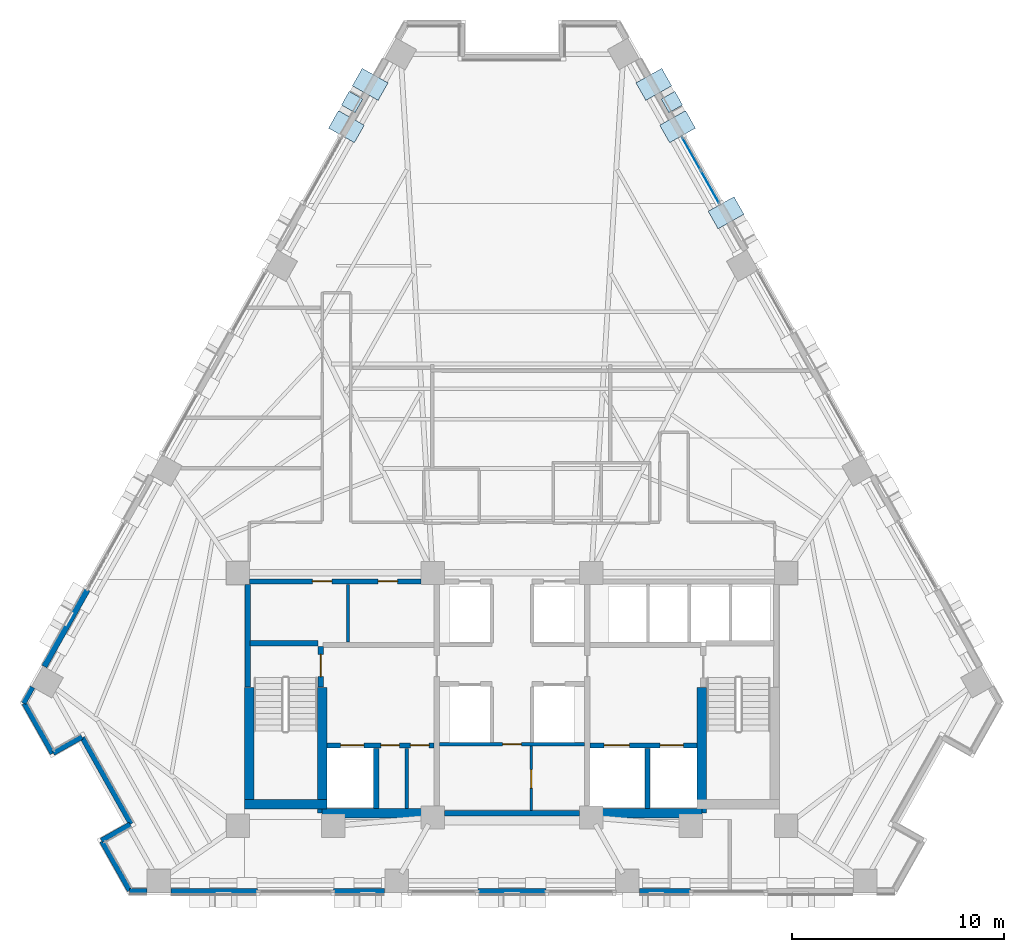
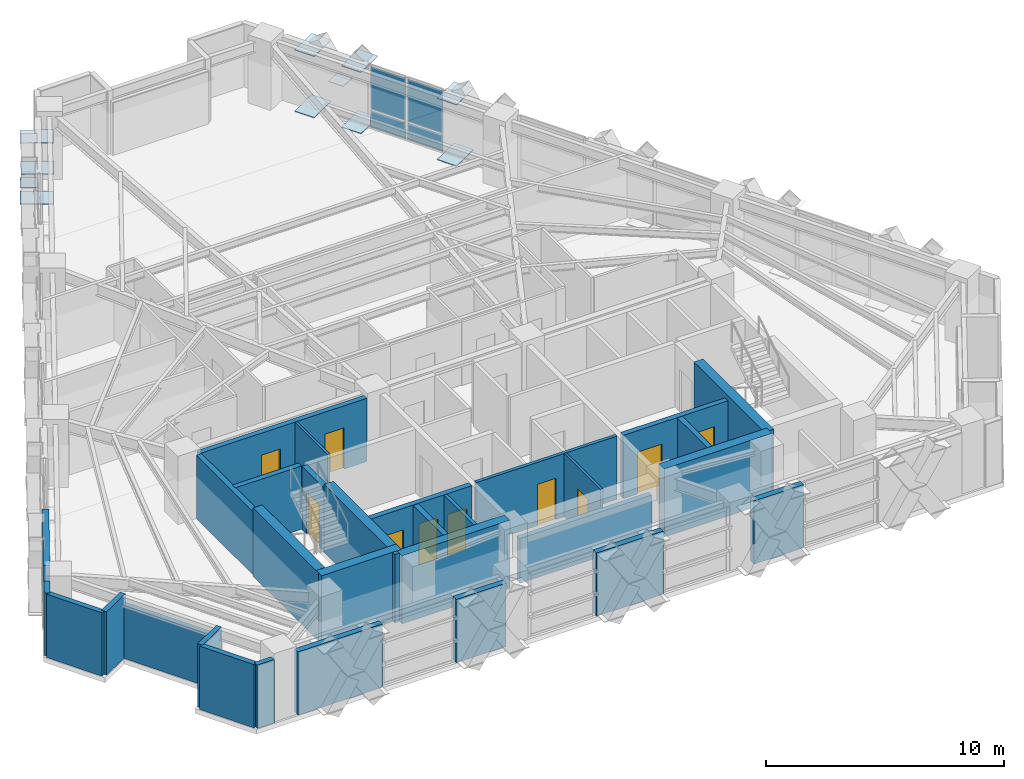
# One storey, part 7 of 14: 31 walls, 15 plates, 10 doors, 10 openings, 1 element without a shape of its own.
"""IFC4 building model written with IfcOpenShell, lengths in metres."""

from ifc_helpers import new_model, si_unit, direction, frame, frame_2d, origin, origin_2d, place, context, subcontext, project, spatial, rectangle, extrude, material, layer, layer_set, type_object, element, fill, aggregate, save


model = new_model("IFC4")

# Units and contexts
model_context = context("Model", 3, precision=1e-05, world=origin(), true_north=direction((0.0, 1.0)))
body_context = subcontext(model_context, "Body", "Model", "MODEL_VIEW")
ifc_project = project(units=[si_unit("LENGTHUNIT", "METRE"), si_unit("AREAUNIT", "SQUARE_METRE"), si_unit("VOLUMEUNIT", "CUBIC_METRE"), si_unit("PLANEANGLEUNIT", "RADIAN"), si_unit("MASSUNIT", "GRAM", prefix="KILO")], contexts=[model_context])

# Site, building, storey
site_placement = place(None, origin())
site = spatial("IfcSite", under=ifc_project, at=site_placement, CompositionType="ELEMENT")
building_placement = place(site_placement, origin())
building = spatial("IfcBuilding", under=site, at=building_placement, Name="Quenlor Broadcast Tower", CompositionType="ELEMENT")
storey_placement = place(building_placement, frame((0.0, 0.0, 123.0)))
storey = spatial("IfcBuildingStorey", under=building, at=storey_placement, Name="L33", CompositionType="ELEMENT", Elevation=123.0)

# Curtain wall, plates
ifc_material_1 = material(Name="Architectural Terracotta and Low-E Glazing", Category="masonry")
curtain_wall_type = type_object("IfcCurtainWallType", Name="Unitised Terracotta Curtain Wall System Z2", PredefinedType="NOTDEFINED", material=ifc_material_1)
curtain_wall_placement = place(storey_placement, origin())
curtain_wall = element("IfcCurtainWall", 1, at=curtain_wall_placement, inside=storey, type_object=curtain_wall_type, Name="L33 Curtain Wall CW2 (L33-NEA-G1)", PredefinedType="NOTDEFINED")
ifc_material_2 = material(Name="Double Glazed Low-E Solar Glass", Category="glass")
ifc_layer_1 = layer(ifc_material_2, 0.030029296875)
ifc_layer_set_1 = layer_set([ifc_layer_1], Name="CW2 Double Glazed Vision Panel 30")
plate_type_1 = type_object("IfcPlateType", Name="CW2 Double Glazed Vision Panel 30", PredefinedType="CURTAIN_PANEL", material=ifc_layer_set_1)
plate_1_placement = place(storey_placement, frame((8.473388671875, 15.009765625, 0.074951171875), z_axis=(0.0, 0.0, 1.0), x_axis=(0.490265104904, -0.871573362898, 0.0)))
plate_1 = element("IfcPlate", 2, at=plate_1_placement, type_object=plate_type_1, Name="CW2 panel 1.1", PredefinedType="CURTAIN_PANEL", context=body_context, shape_type="SweptSolid", body=[
    extrude(rectangle(XDim=1.72998046875, YDim=0.030029296875, at=origin_2d()), origin(), (0.0, 0.0, 1.0), 0.83740234375),
])
plate_2_placement = place(storey_placement, frame((8.473388671875, 15.009765625, 0.987548828125), z_axis=(0.0, 0.0, 1.0), x_axis=(0.490265104904, -0.871573362898, 0.0)))
plate_2 = element("IfcPlate", 3, at=plate_2_placement, type_object=plate_type_1, Name="CW2 panel 1.2", PredefinedType="CURTAIN_PANEL", context=body_context, shape_type="SweptSolid", body=[
    extrude(rectangle(XDim=1.72998046875, YDim=0.030029296875, at=origin_2d()), origin(), (0.0, 0.0, 1.0), 2.1875),
])
plate_3_placement = place(storey_placement, frame((9.3583984375, 13.4365234375, 0.074951171875), z_axis=(0.0, 0.0, 1.0), x_axis=(0.490265104904, -0.871573362898, 0.0)))
plate_3 = element("IfcPlate", 4, at=plate_3_placement, type_object=plate_type_1, Name="CW2 panel 2.1", PredefinedType="CURTAIN_PANEL", context=body_context, shape_type="SweptSolid", body=[
    extrude(rectangle(XDim=1.72998046875, YDim=0.030029296875, at=origin_2d()), origin(), (0.0, 0.0, 1.0), 0.83740234375),
])
plate_4_placement = place(storey_placement, frame((9.3583984375, 13.4365234375, 0.987548828125), z_axis=(0.0, 0.0, 1.0), x_axis=(0.490265104904, -0.871573362898, 0.0)))
plate_4 = element("IfcPlate", 5, at=plate_4_placement, type_object=plate_type_1, Name="CW2 panel 2.2", PredefinedType="CURTAIN_PANEL", context=body_context, shape_type="SweptSolid", body=[
    extrude(rectangle(XDim=1.72998046875, YDim=0.030029296875, at=origin_2d()), origin(), (0.0, 0.0, 1.0), 2.1875),
])
aggregate(curtain_wall, [plate_1, plate_2, plate_3, plate_4])

# Plates
ifc_material_3 = material(Name="Steel S355", Category="steel")
ifc_layer_2 = layer(ifc_material_3, 0.028076171875)
ifc_layer_set_2 = layer_set([ifc_layer_2], Name="Perimeter Lattice Node Steel S355 Cap Plate 740x740x28")
plate_type_2 = type_object("IfcPlateType", Name="Perimeter Lattice Node Steel S355 Cap Plate 740x740x28", PredefinedType="USERDEFINED", material=ifc_layer_set_2)
for number, where, z_axis, x_axis, name in (
    (6, (7.5537109375, 17.45068359375, 1.61572265625), (0.0, 0.0, 1.0), (0.490295412055, -0.871556314255, 0.0), "L33 Diamond Lattice Crossing Node NE-C1"),
    (7, (-7.5537109375, 17.45068359375, 1.61572265625), (0.0, 0.0, 1.0), (0.490295412055, 0.871556314255, 0.0), "L33 Diamond Lattice Crossing Node NW-C5"),
):
    element("IfcPlate", number, at=place(storey_placement, frame(where, z_axis=z_axis, x_axis=x_axis)), inside=storey, type_object=plate_type_2, Name=name, ObjectType="CAP PLATE", PredefinedType="USERDEFINED", context=body_context, shape_type="SweptSolid", body=[
        extrude(rectangle(XDim=0.739990234375, YDim=0.739990234375, at=origin_2d()), origin(), (0.0, 0.0, 1.0), 0.028076171875),
    ])
ifc_material_4 = material(Name="Steel S355", Category="steel")
ifc_layer_3 = layer(ifc_material_4, 0.035888671875)
ifc_layer_set_3 = layer_set([ifc_layer_3], Name="Transfer Truss Steel S355 Gusset Node Plate 1400x950x36")
plate_type_3 = type_object("IfcPlateType", Name="Transfer Truss Steel S355 Gusset Node Plate 1400x950x36", PredefinedType="SHEET", material=ifc_layer_set_3)
for number, where, z_axis, x_axis, name in (
    (8, (6.69970703125, 18.28564453125, 0.0419921875), (0.0, 0.0, 1.0), (0.871556314255, 0.490295412055, 0.0), "L33 Lattice Tie Gusset Node NE-B1"),
    (9, (7.823486328125, 16.287353515625, 3.18212890625), (0.0, 0.0, 1.0), (0.871556314255, 0.490295412055, 0.0), "L33 Lattice Tie Gusset Node NE-T2"),
    (10, (7.823486328125, 16.287353515625, 0.0419921875), (0.0, 0.0, 1.0), (0.871556314255, 0.490295412055, 0.0), "L33 Lattice Tie Gusset Node NE-B2"),
    (11, (6.69970703125, 18.28564453125, 3.18212890625), (0.0, 0.0, 1.0), (0.871556314255, 0.490295412055, 0.0), "L33 Lattice Tie Gusset Node NE-T1"),
    (12, (10.11279296875, 12.218017578125, 0.0419921875), (0.0, 0.0, 1.0), (0.871556314255, 0.490295412055, 0.0), "L33 Lattice Tie Gusset Node NE-B4"),
    (13, (10.11279296875, 12.218017578125, 3.18212890625), (0.0, 0.0, 1.0), (0.871556314255, 0.490295412055, 0.0), "L33 Lattice Tie Gusset Node NE-T4"),
    (14, (-6.69970703125, 18.28564453125, 3.18212890625), (0.0, 0.0, 1.0), (-0.871556314255, 0.490295412055, 0.0), "L33 Lattice Tie Gusset Node NW-T14"),
    (15, (-6.69970703125, 18.28564453125, 0.0419921875), (0.0, 0.0, 1.0), (-0.871556314255, 0.490295412055, 0.0), "L33 Lattice Tie Gusset Node NW-B14"),
    (16, (-7.823486328125, 16.287353515625, 3.18212890625), (0.0, 0.0, 1.0), (-0.871556314255, 0.490295412055, 0.0), "L33 Lattice Tie Gusset Node NW-T13"),
):
    element("IfcPlate", number, at=place(storey_placement, frame(where, z_axis=z_axis, x_axis=x_axis)), inside=storey, type_object=plate_type_3, Name=name, PredefinedType="SHEET", context=body_context, shape_type="SweptSolid", body=[
        extrude(rectangle(XDim=1.39990234375, YDim=0.949951171875, at=origin_2d()), origin(), (0.0, 0.0, 1.0), 0.035888671875),
    ])

# Walls
ifc_material_5 = material(Name="Concrete C50/60", Category="concrete")
ifc_layer_4 = layer(ifc_material_5, 0.449951171875)
ifc_layer_set_4 = layer_set([ifc_layer_4], Name="Core Concrete C50/60 Shear Wall 450")
wall_type_1 = type_object("IfcWallType", Name="Core Concrete C50/60 Shear Wall 450", PredefinedType="SHEAR", material=ifc_layer_set_4)
wall_1_placement = place(storey_placement, frame((-12.64990234375, -15.72509765625, 0.0), z_axis=(0.0, 0.0, 1.0), x_axis=(1.0, 0.0, 0.0)))
element("IfcWall", 17, at=wall_1_placement, inside=storey, type_object=wall_type_1, Name="L33 Core Shear Wall WS-W1", PredefinedType="SHEAR", context=body_context, shape_type="SweptSolid", body=[
    extrude(rectangle(XDim=3.89990234375, YDim=0.449951171875, at=frame_2d((1.949951171875, 0.0))), origin(), (0.0, 0.0, 1.0), 3.5),
])
for number, where, z_axis, x_axis, name in (
    (18, (-8.97509765625, -16.14990234375, 0.0), (0.0, 0.0, 1.0), (1.0, 0.0, 0.0), "L33 Core Shear Wall WS-W2"),
    (19, (3.75, -16.14990234375, 0.0), (0.0, 0.0, 1.0), (1.0, 0.0, 0.0), "L33 Core Shear Wall WS-E1"),
):
    element("IfcWall", number, at=place(storey_placement, frame(where, z_axis=z_axis, x_axis=x_axis)), inside=storey, type_object=wall_type_1, Name=name, PredefinedType="SHEAR", context=body_context, shape_type="SweptSolid", body=[
        extrude(rectangle(XDim=5.22509765625, YDim=0.449951171875, at=frame_2d((2.612548828125, 0.0))), origin(), (0.0, 0.0, 1.0), 3.5),
    ])
wall_2_placement = place(storey_placement, frame((-12.425048828125, -15.72509765625, 0.0), z_axis=(0.0, 0.0, 1.0), x_axis=(0.0, 1.0, 0.0)))
element("IfcWall", 20, at=wall_2_placement, inside=storey, type_object=wall_type_1, Name="L33 Core Shear Wall WF-W", PredefinedType="SHEAR", context=body_context, shape_type="SweptSolid", body=[
    extrude(rectangle(XDim=5.525146484375, YDim=0.449951171875, at=frame_2d((2.7626953125, 0.0))), origin(), (0.0, 0.0, 1.0), 3.5),
])
for number, where, z_axis, x_axis, name in (
    (21, (-8.97509765625, -16.14990234375, 0.0), (0.0, 0.0, 1.0), (0.0, 1.0, 0.0), "L33 Core Shear Wall WI-W"),
    (22, (8.97509765625, -16.14990234375, 0.0), (0.0, 0.0, 1.0), (0.0, 1.0, 0.0), "L33 Core Shear Wall WI-E"),
):
    element("IfcWall", number, at=place(storey_placement, frame(where, z_axis=z_axis, x_axis=x_axis)), inside=storey, type_object=wall_type_1, Name=name, PredefinedType="SHEAR", context=body_context, shape_type="SweptSolid", body=[
        extrude(rectangle(XDim=5.949951171875, YDim=0.449951171875, at=frame_2d((2.97509765625, 0.0))), origin(), (0.0, 0.0, 1.0), 3.5),
    ])

# Wall, opening, door
ifc_material_6 = material(Name="Concrete C40/50", Category="concrete")
ifc_layer_5 = layer(ifc_material_6, 0.25)
ifc_layer_set_5 = layer_set([ifc_layer_5], Name="Fire Rated Concrete C40/50 Core Wall 250")
wall_type_2 = type_object("IfcWallType", Name="Fire Rated Concrete C40/50 Core Wall 250", PredefinedType="PARTITIONING", material=ifc_layer_set_5)
wall_3_placement = place(storey_placement, frame((-9.0400390625, -10.179931640625, 0.0), z_axis=(0.0, 0.0, 1.0), x_axis=(0.0, 1.0, 0.0)))
wall_3 = element("IfcWall", 23, at=wall_3_placement, inside=storey, type_object=wall_type_2, Name="L33 Interior Wall CW-ST1-DR", PredefinedType="PARTITIONING", context=body_context, shape_type="SweptSolid", body=[
    extrude(rectangle(XDim=1.89990234375, YDim=0.25, at=frame_2d((0.949951171875, 0.0))), origin(), (0.0, 0.0, 1.0), 3.25),
])
opening_1_placement = place(wall_3_placement, frame((0.47998046875, 0.0, 0.0)))
opening_1 = element("IfcOpeningElement", 24, at=opening_1_placement, cuts=wall_3, Name="Opening FD-1", PredefinedType="OPENING", context=body_context, shape_type="SweptSolid", body=[
    extrude(rectangle(XDim=1.050048828125, YDim=2.14990234375, at=frame_2d((0.52490234375, 1.074951171875))), frame((0.0, 0.135009765625, 0.0), z_axis=(0.0, -1.0, 0.0), x_axis=(1.0, 0.0, 0.0)), (0.0, 0.0, 1.0), 0.27001953125),
])
ifc_material_7 = material(Name="Fire Rated Steel Door Leaf", Category="steel")
door_type_1 = type_object("IfcDoorType", Name="Fire Isolated Stair Door 1050x2150", OperationType="NOTDEFINED", PredefinedType="DOOR", material=ifc_material_7)
door_1_placement = place(opening_1_placement, origin())
door_1 = element("IfcDoor", 25, at=door_1_placement, inside=storey, type_object=door_type_1, Name="L33 Door DR-ST1", OperationType="SINGLE_SWING_LEFT", OverallHeight=2.14990234375, OverallWidth=1.050048828125, PredefinedType="DOOR", context=body_context, shape_type="SweptSolid", body=[
    extrude(rectangle(XDim=1.050048828125, YDim=2.14990234375, at=frame_2d((0.52490234375, 1.074951171875))), frame((0.0, 0.02490234375, 0.0), z_axis=(0.0, -1.0, 0.0), x_axis=(1.0, 0.0, 0.0)), (0.0, 0.0, 1.0), 0.050048828125),
])
fill(opening_1, door_1)

# Walls
wall_4_placement = place(storey_placement, frame((-12.3798828125, -8.1201171875, 0.0), z_axis=(0.0, 0.0, 1.0), x_axis=(1.0, 0.0, 0.0)))
element("IfcWall", 26, at=wall_4_placement, inside=storey, type_object=wall_type_2, Name="L33 Interior Wall CW-ST1-N", PredefinedType="PARTITIONING", context=body_context, shape_type="SweptSolid", body=[
    extrude(rectangle(XDim=3.219970703125, YDim=0.25, at=frame_2d((1.60986328125, 0.0))), origin(), (0.0, 0.0, 1.0), 3.25),
])
wall_5_placement = place(storey_placement, frame((-12.47998046875, -10.179931640625, 0.0), z_axis=(0.0, 0.0, 1.0), x_axis=(0.0, 1.0, 0.0)))
element("IfcWall", 27, at=wall_5_placement, inside=storey, type_object=wall_type_2, Name="L33 Interior Wall CW-ST1-W2", PredefinedType="PARTITIONING", context=body_context, shape_type="SweptSolid", body=[
    extrude(rectangle(XDim=4.827880859375, YDim=0.25, at=frame_2d((2.4140625, 0.0))), origin(), (0.0, 0.0, 1.0), 3.25),
])

# Wall, openings, doors
wall_6_placement = place(storey_placement, frame((-8.748046875, -12.949951171875, 0.0), z_axis=(0.0, 0.0, 1.0), x_axis=(1.0, 0.0, 0.0)))
wall_6 = element("IfcWall", 28, at=wall_6_placement, inside=storey, type_object=wall_type_2, Name="L33 Interior Wall CW-FFW-S", PredefinedType="PARTITIONING", context=body_context, shape_type="SweptSolid", body=[
    extrude(rectangle(XDim=5.068115234375, YDim=0.25, at=frame_2d((2.5341796875, 0.0))), origin(), (0.0, 0.0, 1.0), 3.25),
])
opening_2_placement = place(wall_6_placement, frame((0.64794921875, 0.0, 0.0)))
opening_2 = element("IfcOpeningElement", 29, at=opening_2_placement, cuts=wall_6, Name="Opening LD-FFL-1", PredefinedType="OPENING", context=body_context, shape_type="SweptSolid", body=[
    extrude(rectangle(XDim=1.10009765625, YDim=2.14990234375, at=frame_2d((0.550048828125, 1.074951171875))), frame((0.0, 0.135009765625, 0.0), z_axis=(0.0, -1.0, 0.0), x_axis=(1.0, 0.0, 0.0)), (0.0, 0.0, 1.0), 0.27001953125),
])
opening_3_placement = place(wall_6_placement, frame((2.548095703125, 0.0, 0.0)))
opening_3 = element("IfcOpeningElement", 30, at=opening_3_placement, cuts=wall_6, Name="Opening TD-1", PredefinedType="OPENING", context=body_context, shape_type="SweptSolid", body=[
    extrude(rectangle(XDim=0.8798828125, YDim=2.10009765625, at=frame_2d((0.43994140625, 1.050048828125))), frame((0.0, 0.135009765625, 0.0), z_axis=(0.0, -1.0, 0.0), x_axis=(1.0, 0.0, 0.0)), (0.0, 0.0, 1.0), 0.27001953125),
])
opening_4_placement = place(wall_6_placement, frame((3.947998046875, 0.0, 0.0)))
opening_4 = element("IfcOpeningElement", 31, at=opening_4_placement, cuts=wall_6, Name="Opening TD-1", PredefinedType="OPENING", context=body_context, shape_type="SweptSolid", body=[
    extrude(rectangle(XDim=0.8798828125, YDim=2.10009765625, at=frame_2d((0.43994140625, 1.050048828125))), frame((0.0, 0.135009765625, 0.0), z_axis=(0.0, -1.0, 0.0), x_axis=(1.0, 0.0, 0.0)), (0.0, 0.0, 1.0), 0.27001953125),
])
ifc_material_8 = material(Name="Brushed Stainless Steel", Category="steel")
door_type_2 = type_object("IfcDoorType", Name="Emergency Lift Sliding Landing Door 1100x2150", OperationType="NOTDEFINED", PredefinedType="DOOR", material=ifc_material_8)
door_2_placement = place(opening_2_placement, origin())
door_2 = element("IfcDoor", 32, at=door_2_placement, inside=storey, type_object=door_type_2, Name="L33 Door LD-FFL-1", OperationType="SLIDING_TO_LEFT", OverallHeight=2.14990234375, OverallWidth=1.10009765625, PredefinedType="DOOR", context=body_context, shape_type="SweptSolid", body=[
    extrude(rectangle(XDim=1.10009765625, YDim=2.14990234375, at=frame_2d((0.550048828125, 1.074951171875))), frame((0.0, 0.02490234375, 0.0), z_axis=(0.0, -1.0, 0.0), x_axis=(1.0, 0.0, 0.0)), (0.0, 0.0, 1.0), 0.050048828125),
])
fill(opening_2, door_2)
ifc_material_9 = material(Name="Fire Rated Steel Access Panel", Category="steel")
door_type_3 = type_object("IfcDoorType", Name="Riser Shaft Rated Access Trapdoor 880x2100", OperationType="NOTDEFINED", PredefinedType="TRAPDOOR", material=ifc_material_9)
door_3_placement = place(opening_3_placement, origin())
door_3 = element("IfcDoor", 33, at=door_3_placement, inside=storey, type_object=door_type_3, Name="L33 Door DR-ELR", OperationType="SINGLE_SWING_LEFT", OverallHeight=2.10009765625, OverallWidth=0.8798828125, PredefinedType="TRAPDOOR", context=body_context, shape_type="SweptSolid", body=[
    extrude(rectangle(XDim=0.8798828125, YDim=2.10009765625, at=frame_2d((0.43994140625, 1.050048828125))), frame((0.0, 0.02490234375, 0.0), z_axis=(0.0, -1.0, 0.0), x_axis=(1.0, 0.0, 0.0)), (0.0, 0.0, 1.0), 0.050048828125),
])
fill(opening_3, door_3)
door_4_placement = place(opening_4_placement, origin())
door_4 = element("IfcDoor", 34, at=door_4_placement, inside=storey, type_object=door_type_3, Name="L33 Door DR-CMR", OperationType="SINGLE_SWING_RIGHT", OverallHeight=2.10009765625, OverallWidth=0.8798828125, PredefinedType="TRAPDOOR", context=body_context, shape_type="SweptSolid", body=[
    extrude(rectangle(XDim=0.8798828125, YDim=2.10009765625, at=frame_2d((0.43994140625, 1.050048828125))), frame((0.0, 0.02490234375, 0.0), z_axis=(0.0, -1.0, 0.0), x_axis=(1.0, 0.0, 0.0)), (0.0, 0.0, 1.0), 0.050048828125),
])
fill(opening_4, door_4)

wall_7_placement = place(storey_placement, frame((3.679931640625, -12.949951171875, 0.0), z_axis=(0.0, 0.0, 1.0), x_axis=(1.0, 0.0, 0.0)))
wall_7 = element("IfcWall", 35, at=wall_7_placement, inside=storey, type_object=wall_type_2, Name="L33 Interior Wall CW-FFE-S", PredefinedType="PARTITIONING", context=body_context, shape_type="SweptSolid", body=[
    extrude(rectangle(XDim=5.068115234375, YDim=0.25, at=frame_2d((2.5341796875, 0.0))), origin(), (0.0, 0.0, 1.0), 3.25),
])
opening_5_placement = place(wall_7_placement, frame((3.320068359375, 0.0, 0.0)))
opening_5 = element("IfcOpeningElement", 36, at=opening_5_placement, cuts=wall_7, Name="Opening LD-FFL-2", PredefinedType="OPENING", context=body_context, shape_type="SweptSolid", body=[
    extrude(rectangle(XDim=1.10009765625, YDim=2.14990234375, at=frame_2d((0.550048828125, 1.074951171875))), frame((0.0, 0.135009765625, 0.0), z_axis=(0.0, -1.0, 0.0), x_axis=(1.0, 0.0, 0.0)), (0.0, 0.0, 1.0), 0.27001953125),
])
opening_6_placement = place(wall_7_placement, frame((0.669921875, 0.0, 0.0)))
opening_6 = element("IfcOpeningElement", 37, at=opening_6_placement, cuts=wall_7, Name="Opening LD-SVL-1", PredefinedType="OPENING", context=body_context, shape_type="SweptSolid", body=[
    extrude(rectangle(XDim=1.199951171875, YDim=2.14990234375, at=frame_2d((0.60009765625, 1.074951171875))), frame((0.0, 0.135009765625, 0.0), z_axis=(0.0, -1.0, 0.0), x_axis=(1.0, 0.0, 0.0)), (0.0, 0.0, 1.0), 0.27001953125),
])
door_5_placement = place(opening_5_placement, origin())
door_5 = element("IfcDoor", 38, at=door_5_placement, inside=storey, type_object=door_type_2, Name="L33 Door LD-FFL-2", OperationType="SLIDING_TO_RIGHT", OverallHeight=2.14990234375, OverallWidth=1.10009765625, PredefinedType="DOOR", context=body_context, shape_type="SweptSolid", body=[
    extrude(rectangle(XDim=1.10009765625, YDim=2.14990234375, at=frame_2d((0.550048828125, 1.074951171875))), frame((0.0, 0.02490234375, 0.0), z_axis=(0.0, -1.0, 0.0), x_axis=(1.0, 0.0, 0.0)), (0.0, 0.0, 1.0), 0.050048828125),
])
fill(opening_5, door_5)
ifc_material_10 = material(Name="Brushed Stainless Steel", Category="steel")
door_type_4 = type_object("IfcDoorType", Name="Goods Lift Sliding Landing Door 1200x2150", OperationType="NOTDEFINED", PredefinedType="DOOR", material=ifc_material_10)
door_6_placement = place(opening_6_placement, origin())
door_6 = element("IfcDoor", 39, at=door_6_placement, inside=storey, type_object=door_type_4, Name="L33 Door LD-SVL-1", OperationType="SLIDING_TO_LEFT", OverallHeight=2.14990234375, OverallWidth=1.199951171875, PredefinedType="DOOR", context=body_context, shape_type="SweptSolid", body=[
    extrude(rectangle(XDim=1.199951171875, YDim=2.14990234375, at=frame_2d((0.60009765625, 1.074951171875))), frame((0.0, 0.02490234375, 0.0), z_axis=(0.0, -1.0, 0.0), x_axis=(1.0, 0.0, 0.0)), (0.0, 0.0, 1.0), 0.050048828125),
])
fill(opening_6, door_6)

# Walls
for number, where, z_axis, x_axis, name in (
    (40, (-6.419921875, -15.919921875, 0.0), (0.0, 0.0, 1.0), (0.0, 1.0, 0.0), "L33 Interior Wall CW-FF1-E"),
    (41, (6.39990234375, -15.919921875, 0.0), (0.0, 0.0, 1.0), (0.0, 1.0, 0.0), "L33 Interior Wall CW-SV1-E"),
):
    element("IfcWall", number, at=place(storey_placement, frame(where, z_axis=z_axis, x_axis=x_axis)), inside=storey, type_object=wall_type_2, Name=name, PredefinedType="PARTITIONING", context=body_context, shape_type="SweptSolid", body=[
        extrude(rectangle(XDim=2.829833984375, YDim=0.25, at=frame_2d((1.4150390625, 0.0))), origin(), (0.0, 0.0, 1.0), 3.25),
    ])

# Wall, openings, doors
wall_8_placement = place(storey_placement, frame((-12.39794921875, -5.199951171875, 0.0), z_axis=(0.0, 0.0, 1.0), x_axis=(1.0, 0.0, 0.0)))
wall_8 = element("IfcWall", 42, at=wall_8_placement, inside=storey, type_object=wall_type_2, Name="L33 Interior Wall CW-N-W", PredefinedType="PARTITIONING", context=body_context, shape_type="SweptSolid", body=[
    extrude(rectangle(XDim=8.095947265625, YDim=0.25, at=frame_2d((4.0478515625, 0.0))), origin(), (0.0, 0.0, 1.0), 3.25),
])
opening_7_placement = place(wall_8_placement, frame((2.968017578125, 0.0, 0.0)))
opening_7 = element("IfcOpeningElement", 43, at=opening_7_placement, cuts=wall_8, Name="Opening ID-1", PredefinedType="OPENING", context=body_context, shape_type="SweptSolid", body=[
    extrude(rectangle(XDim=0.919921875, YDim=2.1201171875, at=frame_2d((0.4599609375, 1.06005859375))), frame((0.0, 0.135009765625, 0.0), z_axis=(0.0, -1.0, 0.0), x_axis=(1.0, 0.0, 0.0)), (0.0, 0.0, 1.0), 0.27001953125),
])
opening_8_placement = place(wall_8_placement, frame((6.068115234375, 0.0, 0.0)))
opening_8 = element("IfcOpeningElement", 44, at=opening_8_placement, cuts=wall_8, Name="Opening ID-1", PredefinedType="OPENING", context=body_context, shape_type="SweptSolid", body=[
    extrude(rectangle(XDim=0.919921875, YDim=2.1201171875, at=frame_2d((0.4599609375, 1.06005859375))), frame((0.0, 0.135009765625, 0.0), z_axis=(0.0, -1.0, 0.0), x_axis=(1.0, 0.0, 0.0)), (0.0, 0.0, 1.0), 0.27001953125),
])
ifc_material_11 = material(Name="Solid Core Timber Oak", Category="wood")
door_type_5 = type_object("IfcDoorType", Name="Single Leaf Timber Office Door 920x2120", OperationType="NOTDEFINED", PredefinedType="DOOR", material=ifc_material_11)
door_7_placement = place(opening_7_placement, origin())
door_7 = element("IfcDoor", 45, at=door_7_placement, inside=storey, type_object=door_type_5, Name="L33 Door DR-RCL1", OperationType="SINGLE_SWING_LEFT", OverallHeight=2.1201171875, OverallWidth=0.919921875, PredefinedType="DOOR", context=body_context, shape_type="SweptSolid", body=[
    extrude(rectangle(XDim=0.919921875, YDim=2.1201171875, at=frame_2d((0.4599609375, 1.06005859375))), frame((0.0, 0.02490234375, 0.0), z_axis=(0.0, -1.0, 0.0), x_axis=(1.0, 0.0, 0.0)), (0.0, 0.0, 1.0), 0.050048828125),
])
fill(opening_7, door_7)
door_8_placement = place(opening_8_placement, origin())
door_8 = element("IfcDoor", 46, at=door_8_placement, inside=storey, type_object=door_type_5, Name="L33 Door DR-RCL2", OperationType="SINGLE_SWING_RIGHT", OverallHeight=2.1201171875, OverallWidth=0.919921875, PredefinedType="DOOR", context=body_context, shape_type="SweptSolid", body=[
    extrude(rectangle(XDim=0.919921875, YDim=2.1201171875, at=frame_2d((0.4599609375, 1.06005859375))), frame((0.0, 0.02490234375, 0.0), z_axis=(0.0, -1.0, 0.0), x_axis=(1.0, 0.0, 0.0)), (0.0, 0.0, 1.0), 0.050048828125),
])
fill(opening_8, door_8)

# Walls
wall_9_placement = place(storey_placement, frame((-3.197998046875, -16.14990234375, 0.0), z_axis=(0.0, 0.0, 1.0), x_axis=(1.0, 0.0, 0.0)))
element("IfcWall", 47, at=wall_9_placement, inside=storey, type_object=wall_type_2, Name="L33 Interior Wall CW-MS-S", PredefinedType="PARTITIONING", context=body_context, shape_type="SweptSolid", body=[
    extrude(rectangle(XDim=6.39599609375, YDim=0.25, at=frame_2d((3.197998046875, 0.0))), origin(), (0.0, 0.0, 1.0), 2.300048828125),
])
ifc_material_12 = material(Name="Gypsum Fireboard Partition", Category="other")
ifc_layer_6 = layer(ifc_material_12, 0.159912109375)
ifc_layer_set_6 = layer_set([ifc_layer_6], Name="Fire Rated Shaft and Corridor Partition 160")
wall_type_3 = type_object("IfcWallType", Name="Fire Rated Shaft and Corridor Partition 160", PredefinedType="PARTITIONING", material=ifc_layer_set_6)
wall_10_placement = place(storey_placement, frame((-4.97998046875, -15.919921875, 0.0), z_axis=(0.0, 0.0, 1.0), x_axis=(0.0, 1.0, 0.0)))
element("IfcWall", 48, at=wall_10_placement, inside=storey, type_object=wall_type_3, Name="L33 Interior Wall CW-ELR-E", PredefinedType="PARTITIONING", context=body_context, shape_type="SweptSolid", body=[
    extrude(rectangle(XDim=2.829833984375, YDim=0.159912109375, at=frame_2d((1.4150390625, 0.0))), origin(), (0.0, 0.0, 1.0), 3.25),
])

# Wall, opening, door
wall_11_placement = place(storey_placement, frame((-3.419921875, -12.89990234375, 0.0), z_axis=(0.0, 0.0, 1.0), x_axis=(1.0, 0.0, 0.0)))
wall_11 = element("IfcWall", 49, at=wall_11_placement, inside=storey, type_object=wall_type_3, Name="L33 Interior Wall CW-MS-B", PredefinedType="PARTITIONING", context=body_context, shape_type="SweptSolid", body=[
    extrude(rectangle(XDim=6.83984375, YDim=0.159912109375, at=frame_2d((3.419921875, 0.0))), origin(), (0.0, 0.0, 1.0), 3.25),
])
opening_9_placement = place(wall_11_placement, frame((2.97998046875, 0.0, 0.0)))
opening_9 = element("IfcOpeningElement", 50, at=opening_9_placement, cuts=wall_11, Name="Opening ID-4", PredefinedType="OPENING", context=body_context, shape_type="SweptSolid", body=[
    extrude(rectangle(XDim=0.8798828125, YDim=2.1201171875, at=frame_2d((0.43994140625, 1.06005859375))), frame((0.0, 0.08984375, 0.0), z_axis=(0.0, -1.0, 0.0), x_axis=(1.0, 0.0, 0.0)), (0.0, 0.0, 1.0), 0.179931640625),
])
ifc_material_13 = material(Name="Solid Core Timber Oak", Category="wood")
door_type_6 = type_object("IfcDoorType", Name="Service Closet Timber Door 880x2120", OperationType="NOTDEFINED", PredefinedType="DOOR", material=ifc_material_13)
door_9_placement = place(opening_9_placement, origin())
door_9 = element("IfcDoor", 51, at=door_9_placement, inside=storey, type_object=door_type_6, Name="L33 Door DR-CSV0", OperationType="SINGLE_SWING_LEFT", OverallHeight=2.1201171875, OverallWidth=0.8798828125, PredefinedType="DOOR", context=body_context, shape_type="SweptSolid", body=[
    extrude(rectangle(XDim=0.8798828125, YDim=2.1201171875, at=frame_2d((0.43994140625, 1.06005859375))), frame((0.0, 0.02490234375, 0.0), z_axis=(0.0, -1.0, 0.0), x_axis=(1.0, 0.0, 0.0)), (0.0, 0.0, 1.0), 0.050048828125),
])
fill(opening_9, door_9)

# Wall
ifc_material_14 = material(Name="Gypsum Plasterboard Partition", Category="other")
ifc_layer_7 = layer(ifc_material_14, 0.1201171875)
ifc_layer_set_7 = layer_set([ifc_layer_7], Name="Standard Office Partition 120")
wall_type_4 = type_object("IfcWallType", Name="Standard Office Partition 120", PredefinedType="PARTITIONING", material=ifc_layer_set_7)
wall_12_placement = place(storey_placement, frame((-7.75, -8.072998046875, 0.0), z_axis=(0.0, 0.0, 1.0), x_axis=(0.0, 1.0, 0.0)))
element("IfcWall", 52, at=wall_12_placement, inside=storey, type_object=wall_type_4, Name="L33 Interior Wall CW-RCL-MID", PredefinedType="PARTITIONING", context=body_context, shape_type="SweptSolid", body=[
    extrude(rectangle(XDim=2.73291015625, YDim=0.1201171875, at=frame_2d((1.366455078125, 0.0))), origin(), (0.0, 0.0, 1.0), 3.25),
])

# Wall, opening, door
wall_13_placement = place(storey_placement, frame((0.909912109375, -16.02001953125, 0.0), z_axis=(0.0, 0.0, 1.0), x_axis=(0.0, 1.0, 0.0)))
wall_13 = element("IfcWall", 53, at=wall_13_placement, inside=storey, type_object=wall_type_4, Name="L33 Interior Wall CW-CSV-E2", PredefinedType="PARTITIONING", context=body_context, shape_type="SweptSolid", body=[
    extrude(rectangle(XDim=3.0380859375, YDim=0.1201171875, at=frame_2d((1.51904296875, 0.0))), origin(), (0.0, 0.0, 1.0), 3.25),
])
opening_10_placement = place(wall_13_placement, frame((1.050048828125, 0.0, 0.0)))
opening_10 = element("IfcOpeningElement", 54, at=opening_10_placement, cuts=wall_13, Name="Opening ID-4", PredefinedType="OPENING", context=body_context, shape_type="SweptSolid", body=[
    extrude(rectangle(XDim=0.8798828125, YDim=2.1201171875, at=frame_2d((0.43994140625, 1.06005859375))), frame((0.0, 0.070068359375, 0.0), z_axis=(0.0, -1.0, 0.0), x_axis=(1.0, 0.0, 0.0)), (0.0, 0.0, 1.0), 0.14013671875),
])
door_10_placement = place(opening_10_placement, origin())
door_10 = element("IfcDoor", 55, at=door_10_placement, inside=storey, type_object=door_type_6, Name="L33 Door DR-CSV2", OperationType="SINGLE_SWING_RIGHT", OverallHeight=2.1201171875, OverallWidth=0.8798828125, PredefinedType="DOOR", context=body_context, shape_type="SweptSolid", body=[
    extrude(rectangle(XDim=0.8798828125, YDim=2.1201171875, at=frame_2d((0.43994140625, 1.06005859375))), frame((0.0, 0.02490234375, 0.0), z_axis=(0.0, -1.0, 0.0), x_axis=(1.0, 0.0, 0.0)), (0.0, 0.0, 1.0), 0.050048828125),
])
fill(opening_10, door_10)

# Walls
ifc_material_15 = material(Name="Precast concrete C40/50", Category="concrete")
ifc_layer_8 = layer(ifc_material_15, 0.239990234375)
ifc_layer_set_8 = layer_set([ifc_layer_8], Name="Terrace Threshold Precast Concrete C40/50 Wall 240")
wall_type_5 = type_object("IfcWallType", Name="Terrace Threshold Precast Concrete C40/50 Wall 240", PredefinedType="STANDARD", material=ifc_layer_set_8)
wall_14_placement = place(storey_placement, frame((-17.24755859375, -19.840087890625, 0.0), z_axis=(0.0, 0.0, 1.0), x_axis=(-1.0, 0.0, 0.0)))
element("IfcWall", 56, at=wall_14_placement, inside=storey, type_object=wall_type_5, Name="L33 Exterior Wall L33-SHD-SS1", PredefinedType="STANDARD", context=body_context, shape_type="SweptSolid", body=[
    extrude(rectangle(XDim=0.83642578125, YDim=0.239990234375, at=frame_2d((0.418212890625, 0.0))), origin(), (0.0, 0.0, 1.0), 3.25),
])
wall_15_placement = place(storey_placement, frame((-23.078125, -10.9541015625, 0.0), z_axis=(0.0, 0.0, 1.0), x_axis=(0.490355003566, 0.871522788272, 0.0)))
element("IfcWall", 57, at=wall_15_placement, inside=storey, type_object=wall_type_5, Name="L33 Exterior Wall L33-SHD-NWS0", PredefinedType="STANDARD", context=body_context, shape_type="SweptSolid", body=[
    extrude(rectangle(XDim=0.865234375, YDim=0.239990234375, at=frame_2d((0.4326171875, 0.0))), origin(), (0.0, 0.0, 1.0), 3.25),
])
wall_16_placement = place(storey_placement, frame((-23.043701171875, -10.962890625, 0.0), z_axis=(0.0, 0.0, 1.0), x_axis=(0.490218533594, -0.871599557894, 0.0)))
element("IfcWall", 58, at=wall_16_placement, inside=storey, type_object=wall_type_5, Name="L33 Exterior Wall L33-CNR-12", PredefinedType="STANDARD", context=body_context, shape_type="SweptSolid", body=[
    extrude(rectangle(XDim=2.714111328125, YDim=0.239990234375, at=frame_2d((1.35693359375, 0.0))), origin(), (0.0, 0.0, 1.0), 3.25),
])
wall_17_placement = place(storey_placement, frame((-21.67822265625, -13.30908203125, 0.0), z_axis=(0.0, 0.0, 1.0), x_axis=(0.871546278971, 0.490313250496, 0.0)))
element("IfcWall", 59, at=wall_17_placement, inside=storey, type_object=wall_type_5, Name="L33 Exterior Wall L33-CNR-13", PredefinedType="STANDARD", context=body_context, shape_type="SweptSolid", body=[
    extrude(rectangle(XDim=1.56005859375, YDim=0.239990234375, at=frame_2d((0.780029296875, 0.0))), origin(), (0.0, 0.0, 1.0), 3.25),
])
wall_18_placement = place(storey_placement, frame((-20.299072265625, -12.5791015625, 0.0), z_axis=(0.0, 0.0, 1.0), x_axis=(0.490313250496, -0.871546278971, 0.0)))
element("IfcWall", 60, at=wall_18_placement, inside=storey, type_object=wall_type_5, Name="L33 Exterior Wall L33-CNR-14", PredefinedType="STANDARD", context=body_context, shape_type="SweptSolid", body=[
    extrude(rectangle(XDim=4.679931640625, YDim=0.239990234375, at=frame_2d((2.33984375, 0.0))), origin(), (0.0, 0.0, 1.0), 2.7216796875),
])
wall_19_placement = place(storey_placement, frame((-18.039306640625, -16.677490234375, 0.0), z_axis=(0.0, 0.0, 1.0), x_axis=(-0.871546278971, -0.490313250496, 0.0)))
element("IfcWall", 61, at=wall_19_placement, inside=storey, type_object=wall_type_5, Name="L33 Exterior Wall L33-CNR-15", PredefinedType="STANDARD", context=body_context, shape_type="SweptSolid", body=[
    extrude(rectangle(XDim=1.56005859375, YDim=0.239990234375, at=frame_2d((0.780029296875, 0.0))), origin(), (0.0, 0.0, 1.0), 3.25),
])
wall_20_placement = place(storey_placement, frame((-19.37939453125, -17.477294921875, 0.0), z_axis=(0.0, 0.0, 1.0), x_axis=(0.49023085981, -0.871592625078, 0.0)))
element("IfcWall", 62, at=wall_20_placement, inside=storey, type_object=wall_type_5, Name="L33 Exterior Wall L33-CNR-16", PredefinedType="STANDARD", context=body_context, shape_type="SweptSolid", body=[
    extrude(rectangle(XDim=2.6708984375, YDim=0.239990234375, at=frame_2d((1.33544921875, 0.0))), origin(), (0.0, 0.0, 1.0), 3.25),
])
ifc_material_16 = material(Name="Precast concrete C40/50", Category="concrete")
ifc_layer_9 = layer(ifc_material_16, 0.280029296875)
ifc_layer_set_9 = layer_set([ifc_layer_9], Name="Terracotta Precast Concrete C40/50 Facade Wall 280")
wall_type_6 = type_object("IfcWallType", Name="Terracotta Precast Concrete C40/50 Facade Wall 280", PredefinedType="STANDARD", material=ifc_layer_set_9)
for number, where, z_axis, x_axis, name in (
    (63, (8.43359375, -19.840087890625, 0.0), (0.0, 0.0, 1.0), (-1.0, 0.0, 0.0), "L33 Exterior Wall L33-SA-SP2"),
    (64, (-6.018310546875, -19.840087890625, 0.0), (0.0, 0.0, 1.0), (-1.0, 0.0, 0.0), "L33 Exterior Wall L33-SC-SP1"),
):
    element("IfcWall", number, at=place(storey_placement, frame(where, z_axis=z_axis, x_axis=x_axis)), inside=storey, type_object=wall_type_6, Name=name, PredefinedType="STANDARD", context=body_context, shape_type="SweptSolid", body=[
        extrude(rectangle(XDim=2.415283203125, YDim=0.280029296875, at=frame_2d((1.20751953125, 0.0))), origin(), (0.0, 0.0, 1.0), 3.25),
    ])
wall_21_placement = place(storey_placement, frame((-12.019287109375, -19.840087890625, 0.0), z_axis=(0.0, 0.0, 1.0), x_axis=(-1.0, 0.0, 0.0)))
element("IfcWall", 65, at=wall_21_placement, inside=storey, type_object=wall_type_6, Name="L33 Exterior Wall L33-SC-SP2", PredefinedType="STANDARD", context=body_context, shape_type="SweptSolid", body=[
    extrude(rectangle(XDim=4.09814453125, YDim=0.280029296875, at=frame_2d((2.049072265625, 0.0))), origin(), (0.0, 0.0, 1.0), 3.25),
])
wall_22_placement = place(storey_placement, frame((1.615966796875, -19.840087890625, 0.0), z_axis=(0.0, 0.0, 1.0), x_axis=(-1.0, 0.0, 0.0)))
element("IfcWall", 66, at=wall_22_placement, inside=storey, type_object=wall_type_6, Name="L33 Exterior Wall L33-S-SP1", PredefinedType="STANDARD", context=body_context, shape_type="SweptSolid", body=[
    extrude(rectangle(XDim=3.23193359375, YDim=0.280029296875, at=frame_2d((1.615966796875, 0.0))), origin(), (0.0, 0.0, 1.0), 3.25),
])
wall_23_placement = place(storey_placement, frame((-22.099853515625, -9.215087890625, 0.0), z_axis=(0.0, 0.0, 1.0), x_axis=(0.490255672477, 0.871578668626, 0.0)))
element("IfcWall", 67, at=wall_23_placement, inside=storey, type_object=wall_type_6, Name="L33 Exterior Wall L33-NWA-SP1", PredefinedType="STANDARD", context=body_context, shape_type="SweptSolid", body=[
    extrude(rectangle(XDim=4.1640625, YDim=0.280029296875, at=frame_2d((2.08203125, 0.0))), origin(), (0.0, 0.0, 1.0), 3.25),
])

save(model, "model.ifc")
